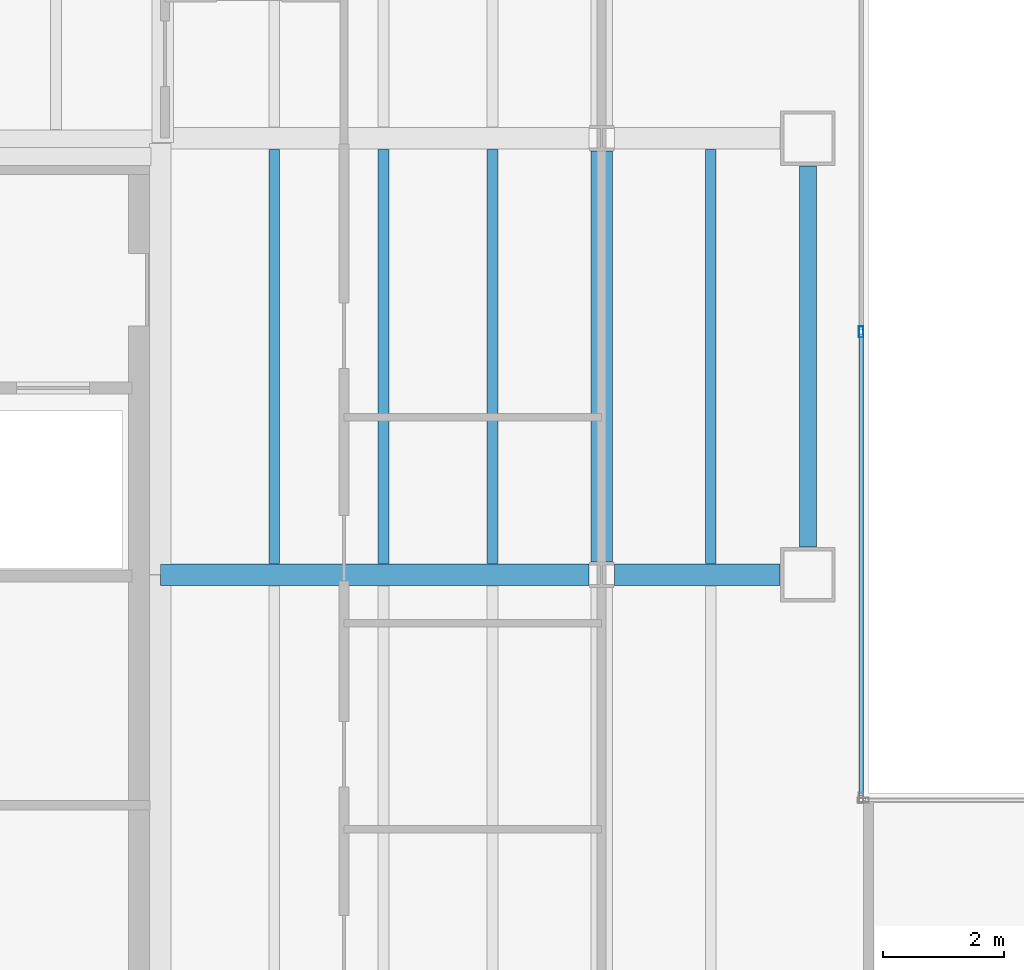
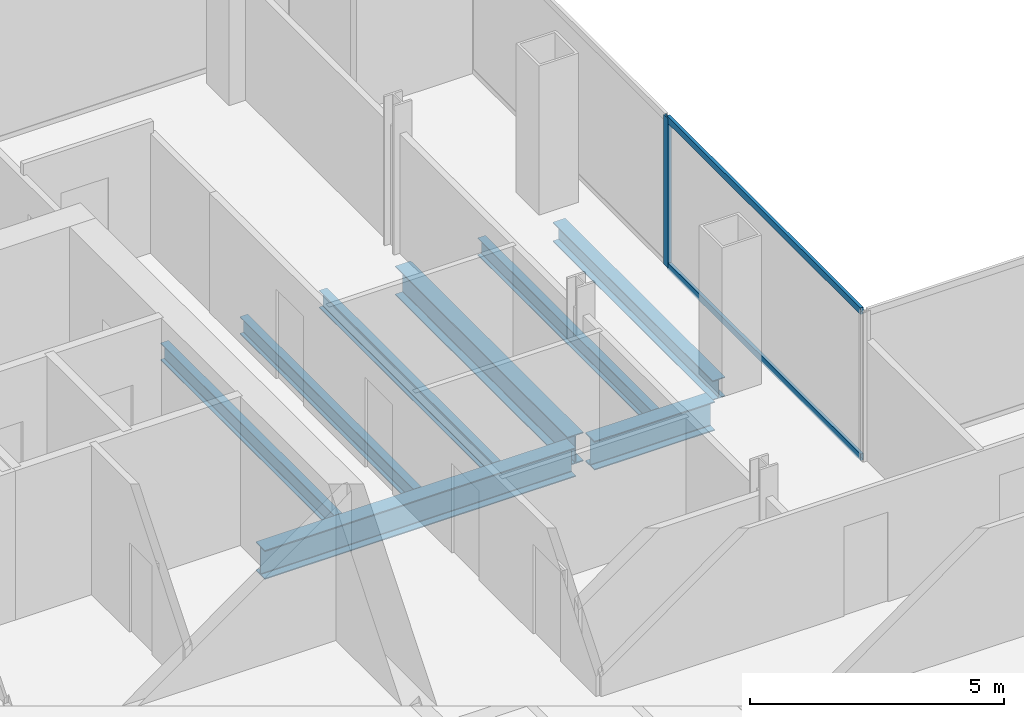
# One storey, part 8 of 23: 8 beams, 3 members, 1 element without a shape of its own.
"""IFC4 building model written with IfcOpenShell, lengths in metres."""

from ifc_helpers import new_model, si_unit, direction, frame, origin, origin_2d, place, context, subcontext, project, spatial, hollow_rectangle, i_section, extrude, material, material_profile, profile_set, type_object, element, aggregate, save


model = new_model("IFC4")

# Units and contexts
model_context = context("Model", 3, precision=1e-05, world=origin(), true_north=direction((0.0, 1.0)))
body_context = subcontext(model_context, "Body", "Model", "MODEL_VIEW")
ifc_project = project(units=[si_unit("LENGTHUNIT", "METRE"), si_unit("AREAUNIT", "SQUARE_METRE"), si_unit("VOLUMEUNIT", "CUBIC_METRE"), si_unit("PLANEANGLEUNIT", "RADIAN"), si_unit("MASSUNIT", "GRAM", prefix="KILO")], contexts=[model_context])

# Site, building, storey
site_placement = place(None, origin())
site = spatial("IfcSite", under=ifc_project, at=site_placement, CompositionType="ELEMENT")
building_placement = place(site_placement, origin())
building = spatial("IfcBuilding", under=site, at=building_placement, Name="Cobrela Telecom Tower", CompositionType="ELEMENT")
storey_placement = place(building_placement, frame((0.0, 0.0, 133.0)))
storey = spatial("IfcBuildingStorey", under=building, at=storey_placement, Name="L33", CompositionType="ELEMENT", Elevation=133.0)

# Beams
ifc_material_1 = material(Name="Steel ASTM A992 Grade 50", Category="steel")
ifc_material_profile_1 = material_profile(ifc_material_1, i_section(OverallWidth=0.35595703125, OverallDepth=0.696044921875, WebThickness=0.015380859375, FlangeThickness=0.024658203125, FilletRadius=0.01806640625, at=origin_2d()), Name="W27X146")
ifc_profile_set_1 = profile_set([ifc_material_profile_1], Name="Steel ASTM A992 Grade 50")
beam_type_1 = type_object("IfcBeamType", Name="BM-GIRD-05", PredefinedType="USERDEFINED", material=ifc_profile_set_1)
beam_1_placement = place(storey_placement, frame((14.324951171875, 28.800048828125, -0.617919921875), z_axis=(1.0, 0.0, 0.0), x_axis=(0.0, 1.0, 0.0)))
element("IfcBeam", 1, at=beam_1_placement, inside=storey, type_object=beam_type_1, Name="L33 Primary Girder X23", ObjectType="GIRDER", PredefinedType="USERDEFINED", context=body_context, shape_type="SweptSolid", body=[
    extrude(i_section(OverallWidth=0.35595703125, OverallDepth=0.696044921875, WebThickness=0.015380859375, FlangeThickness=0.024658203125, FilletRadius=0.01806640625, at=origin_2d()), origin(), (0.0, 0.0, 1.0), 7.0654296875),
])
beam_2_placement = place(storey_placement, frame((21.8095703125, 28.800048828125, -0.617919921875), z_axis=(1.0, 0.0, 0.0), x_axis=(0.0, 1.0, 0.0)))
element("IfcBeam", 2, at=beam_2_placement, inside=storey, type_object=beam_type_1, Name="L33 Primary Girder X24", ObjectType="GIRDER", PredefinedType="USERDEFINED", context=body_context, shape_type="SweptSolid", body=[
    extrude(i_section(OverallWidth=0.35595703125, OverallDepth=0.696044921875, WebThickness=0.015380859375, FlangeThickness=0.024658203125, FilletRadius=0.01806640625, at=origin_2d()), origin(), (0.0, 0.0, 1.0), 2.7353515625),
])
beam_3_placement = place(storey_placement, frame((21.60009765625, 29.009521484375, -0.617919921875), z_axis=(0.0, 1.0, 0.0), x_axis=(-1.0, 0.0, 0.0)))
element("IfcBeam", 3, at=beam_3_placement, inside=storey, type_object=beam_type_1, Name="L33 Primary Girder Y43", ObjectType="GIRDER", PredefinedType="USERDEFINED", context=body_context, shape_type="SweptSolid", body=[
    extrude(i_section(OverallWidth=0.35595703125, OverallDepth=0.696044921875, WebThickness=0.015380859375, FlangeThickness=0.024658203125, FilletRadius=0.01806640625, at=origin_2d()), origin(), (0.0, 0.0, 1.0), 6.781005859375),
])
ifc_material_profile_2 = material_profile(ifc_material_1, i_section(OverallWidth=0.179931640625, OverallDepth=0.4169921875, WebThickness=0.010986328125, FlangeThickness=0.01806640625, FilletRadius=0.011962890625, at=origin_2d()), Name="W16X57")
ifc_profile_set_2 = profile_set([ifc_material_profile_2], Name="Steel ASTM A992 Grade 50")
beam_type_2 = type_object("IfcBeamType", Name="BM-JOIST-04", PredefinedType="JOIST", material=ifc_profile_set_2)
for number, where, z_axis, x_axis, name in (
    (4, (16.199951171875, 28.98291015625, -0.478515625), (0.0, 1.0, 0.0), (-1.0, 0.0, 0.0), "L33 Secondary Composite Floor Beam J07"),
    (5, (18.0, 28.98291015625, -0.478515625), (0.0, 1.0, 0.0), (-1.0, 0.0, 0.0), "L33 Secondary Composite Floor Beam J12"),
    (6, (19.800048828125, 28.98291015625, -0.478515625), (0.0, 1.0, 0.0), (-1.0, 0.0, 0.0), "L33 Secondary Composite Floor Beam J17"),
    (7, (23.39990234375, 28.98291015625, -0.478515625), (0.0, 1.0, 0.0), (-1.0, 0.0, 0.0), "L33 Secondary Composite Floor Beam J22"),
):
    element("IfcBeam", number, at=place(storey_placement, frame(where, z_axis=z_axis, x_axis=x_axis)), inside=storey, type_object=beam_type_2, Name=name, PredefinedType="JOIST", context=body_context, shape_type="SweptSolid", body=[
        extrude(i_section(OverallWidth=0.179931640625, OverallDepth=0.4169921875, WebThickness=0.010986328125, FlangeThickness=0.01806640625, FilletRadius=0.011962890625, at=origin_2d()), origin(), (0.0, 0.0, 1.0), 6.833984375),
    ])
ifc_material_profile_3 = material_profile(ifc_material_1, i_section(OverallWidth=0.281982421875, OverallDepth=0.467041015625, WebThickness=0.01220703125, FlangeThickness=0.01953125, FilletRadius=0.012939453125, at=origin_2d()), Name="W18X86")
ifc_profile_set_3 = profile_set([ifc_material_profile_3], Name="Steel ASTM A992 Grade 50")
beam_type_3 = type_object("IfcBeamType", Name="BM-SPAND-04", PredefinedType="SPANDREL", material=ifc_profile_set_3)
beam_4_placement = place(storey_placement, frame((25.0, 29.2548828125, -0.50341796875), z_axis=(0.0, 1.0, 0.0), x_axis=(-1.0, 0.0, 0.0)))
element("IfcBeam", 8, at=beam_4_placement, inside=storey, type_object=beam_type_3, Name="L33 Perimeter Spandrel Y45", PredefinedType="SPANDREL", context=body_context, shape_type="SweptSolid", body=[
    extrude(i_section(OverallWidth=0.281982421875, OverallDepth=0.467041015625, WebThickness=0.01220703125, FlangeThickness=0.01953125, FilletRadius=0.012939453125, at=origin_2d()), origin(), (0.0, 0.0, 1.0), 6.2900390625),
])

# Curtain wall, members
ifc_material_2 = material(Name="Anodized Bronze Aluminium 6063-T6", Category="aluminium")
curtain_wall_type = type_object("IfcCurtainWallType", Name="CW-SYS-TEL", PredefinedType="USERDEFINED", material=ifc_material_2)
curtain_wall_placement = place(storey_placement, origin())
curtain_wall = element("IfcCurtainWall", 9, at=curtain_wall_placement, inside=storey, type_object=curtain_wall_type, Name="L33 Unitised Bronze Curtain Wall 10", ObjectType="UNITISED CURTAIN WALL", PredefinedType="USERDEFINED")
ifc_material_profile_4 = material_profile(ifc_material_2, hollow_rectangle(XDim=0.074951171875, YDim=0.179931640625, WallThickness=0.00390625, at=origin_2d()), Name="ALU 75x180x4")
ifc_profile_set_4 = profile_set([ifc_material_profile_4], Name="Anodized Bronze Aluminium 6063-T6")
member_type_1 = type_object("IfcMemberType", Name="CW-SYS-TEL-MUL", PredefinedType="MULLION", material=ifc_profile_set_4)
member_1_placement = place(storey_placement, frame((25.8798828125, 32.804931640625, 0.0), z_axis=(0.0, 0.0, 1.0), x_axis=(1.0, 0.0, 0.0)))
member_1 = element("IfcMember", 10, at=member_1_placement, type_object=member_type_1, Name="CW-TEL mullion 2", PredefinedType="MULLION", context=body_context, shape_type="SweptSolid", body=[
    extrude(hollow_rectangle(XDim=0.074951171875, YDim=0.179931640625, WallThickness=0.00390625, at=origin_2d()), origin(), (0.0, 0.0, 1.0), 3.580078125),
])
ifc_material_profile_5 = material_profile(ifc_material_2, hollow_rectangle(XDim=0.070068359375, YDim=0.159912109375, WallThickness=0.00390625, at=origin_2d()), Name="ALU 70x160x4")
ifc_profile_set_5 = profile_set([ifc_material_profile_5], Name="Anodized Bronze Aluminium 6063-T6")
member_type_2 = type_object("IfcMemberType", Name="CW-SYS-TEL-TRN", PredefinedType="USERDEFINED", material=ifc_profile_set_5)
member_2_placement = place(storey_placement, frame((25.8798828125, 32.767578125, 0.034912109375), z_axis=(0.0, -1.0, 0.0), x_axis=(1.0, 0.0, 0.0)))
member_2 = element("IfcMember", 11, at=member_2_placement, type_object=member_type_2, Name="CW-TEL transom 2.1", ObjectType="TRANSOM", PredefinedType="USERDEFINED", context=body_context, shape_type="SweptSolid", body=[
    extrude(hollow_rectangle(XDim=0.070068359375, YDim=0.159912109375, WallThickness=0.00390625, at=origin_2d()), origin(), (0.0, 0.0, 1.0), 7.612548828125),
])
member_3_placement = place(storey_placement, frame((25.8798828125, 32.767578125, 3.544921875), z_axis=(0.0, -1.0, 0.0), x_axis=(1.0, 0.0, 0.0)))
member_3 = element("IfcMember", 12, at=member_3_placement, type_object=member_type_2, Name="CW-TEL transom 2.2", ObjectType="TRANSOM", PredefinedType="USERDEFINED", context=body_context, shape_type="SweptSolid", body=[
    extrude(hollow_rectangle(XDim=0.070068359375, YDim=0.159912109375, WallThickness=0.00390625, at=origin_2d()), origin(), (0.0, 0.0, 1.0), 7.612548828125),
])
aggregate(curtain_wall, [member_1, member_2, member_3])

save(model, "model.ifc")
